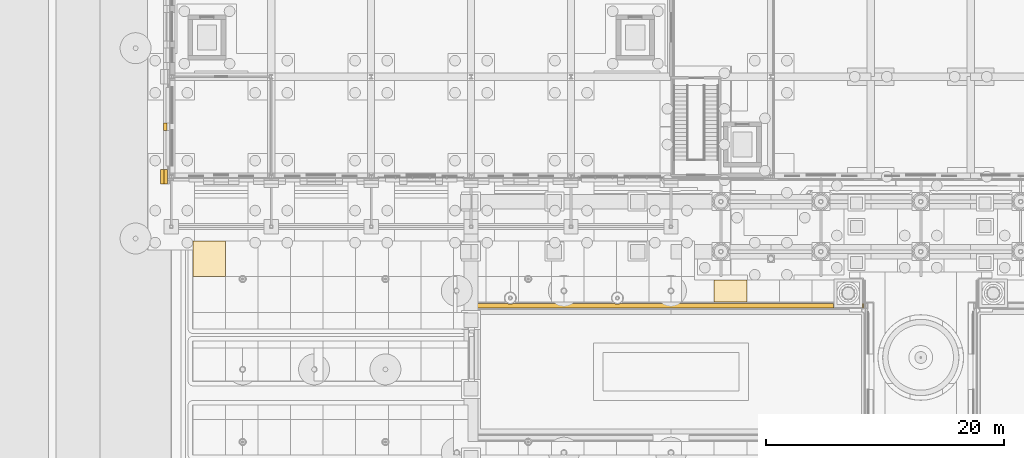
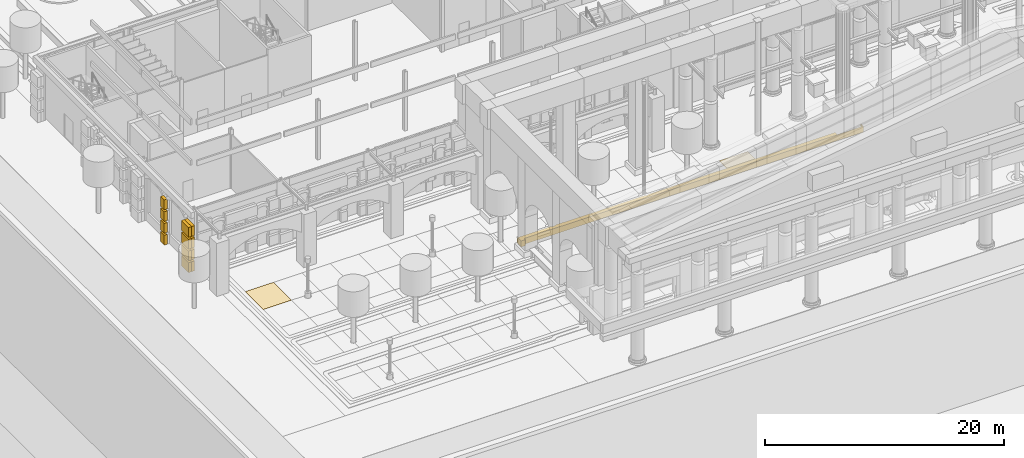
# One storey, part 114 of 222: 15 coverings.
"""IFC4 building model written with IfcOpenShell, lengths in metres."""

from ifc_helpers import new_model, si_unit, direction, frame, origin, origin_2d, place, context, subcontext, project, spatial, polyline, rectangle, outline, extrude, material, layer, layer_set, type_object, element, save


model = new_model("IFC4")

# Units and contexts
model_context = context("Model", 3, precision=1e-05, world=origin(), true_north=direction((0.0, 1.0)))
body_context = subcontext(model_context, "Body", "Model", "MODEL_VIEW")
ifc_project = project(units=[si_unit("LENGTHUNIT", "METRE"), si_unit("AREAUNIT", "SQUARE_METRE"), si_unit("VOLUMEUNIT", "CUBIC_METRE"), si_unit("PLANEANGLEUNIT", "RADIAN"), si_unit("MASSUNIT", "GRAM", prefix="KILO")], contexts=[model_context])

# Site, building, storey
site_placement = place(None, origin())
site = spatial("IfcSite", under=ifc_project, at=site_placement, CompositionType="ELEMENT")
building_placement = place(site_placement, origin())
building = spatial("IfcBuilding", under=site, at=building_placement, Name="Sava Quay Ferry Terminal", CompositionType="ELEMENT")
storey_placement = place(building_placement, origin())
storey = spatial("IfcBuildingStorey", under=building, at=storey_placement, Name="L00", CompositionType="ELEMENT", Elevation=0.0)

# Coverings
ifc_material_1 = material(Name="Limestone Mutalj", Category="masonry")
ifc_layer_1 = layer(ifc_material_1, 0.030029296875)
ifc_layer_set_1 = layer_set([ifc_layer_1], Name="Limestone Mutalj")
covering_type_1 = type_object("IfcCoveringType", Name="Court paving tile 30", PredefinedType="FLOORING", material=ifc_layer_set_1)
covering_1_placement = place(storey_placement, origin())
element("IfcCovering", 1, at=covering_1_placement, inside=storey, type_object=covering_type_1, Name="Limestone paving tile", PredefinedType="FLOORING", context=body_context, shape_type="SweptSolid", body=[
    extrude(outline(polyline([(45.639892578125, 16.5), (45.639892578125, 14.64990234375), (48.3798828125, 14.64990234375), (48.3798828125, 16.5), (45.639892578125, 16.5)])), origin(), (0.0, 0.0, 1.0), 0.030029296875),
])
ifc_material_2 = material(Name="Red sandstone Vrsac", Category="masonry")
ifc_layer_2 = layer(ifc_material_2, 0.030029296875)
ifc_layer_set_2 = layer_set([ifc_layer_2], Name="Red sandstone Vrsac")
covering_type_2 = type_object("IfcCoveringType", Name="Court paving tile sandstone 30", PredefinedType="FLOORING", material=ifc_layer_set_2)
covering_2_placement = place(storey_placement, origin())
element("IfcCovering", 2, at=covering_2_placement, inside=storey, type_object=covering_type_2, Name="Sandstone paving tile", PredefinedType="FLOORING", context=body_context, shape_type="SweptSolid", body=[
    extrude(outline(polyline([(4.5400390625, 16.800048828125), (4.5400390625, 19.800048828125), (1.81005859375, 19.800048828125), (1.81005859375, 16.800048828125), (4.5400390625, 16.800048828125)])), origin(), (0.0, 0.0, 1.0), 0.030029296875),
])
ifc_material_3 = material(Name="Limestone Mutalj", Category="masonry")
ifc_layer_3 = layer(ifc_material_3, 0.39990234375)
ifc_layer_set_3 = layer_set([ifc_layer_3], Name="Limestone Mutalj")
covering_type_3 = type_object("IfcCoveringType", Name="Retaining wall 400", PredefinedType="CLADDING", material=ifc_layer_set_3)
covering_3_placement = place(storey_placement, origin())
element("IfcCovering", 3, at=covering_3_placement, inside=storey, type_object=covering_type_3, Name="Retaining wall", PredefinedType="CLADDING", context=body_context, shape_type="SweptSolid", body=[
    extrude(outline(polyline([(28.239990234375, 14.550048828125), (25.050048828125, 14.550048828125), (25.050048828125, 13.952880859375), (25.449951171875, 13.952880859375), (25.449951171875, 14.14990234375), (58.179931640625, 14.14990234375), (58.179931640625, 14.152099609375), (58.179931640625, 14.550048828125), (58.1201171875, 14.550048828125), (58.1201171875, 14.199951171875), (58.117919921875, 14.19189453125), (58.114990234375, 14.18701171875), (58.10888671875, 14.181884765625), (58.10400390625, 14.179931640625), (55.699951171875, 14.179931640625), (55.694091796875, 14.180908203125), (55.68701171875, 14.18505859375), (55.681884765625, 14.19091796875), (55.679931640625, 14.197998046875), (55.679931640625, 14.550048828125), (37.760009765625, 14.550048828125), (37.743896484375, 14.541015625), (37.699951171875, 14.52001953125), (37.64990234375, 14.501953125), (37.60009765625, 14.489990234375), (37.552001953125, 14.48291015625), (37.4990234375, 14.47998046875), (37.447998046875, 14.48291015625), (37.39990234375, 14.489990234375), (37.35009765625, 14.501953125), (37.300048828125, 14.52001953125), (37.256103515625, 14.541015625), (37.239990234375, 14.550048828125), (28.760009765625, 14.550048828125), (28.743896484375, 14.541015625), (28.699951171875, 14.52001953125), (28.64990234375, 14.501953125), (28.60205078125, 14.489990234375), (28.552001953125, 14.48291015625), (28.4990234375, 14.47998046875), (28.447998046875, 14.48291015625), (28.39990234375, 14.489990234375), (28.35009765625, 14.501953125), (28.300048828125, 14.52001953125), (28.256103515625, 14.541015625), (28.239990234375, 14.550048828125)])), origin(), (0.0, 0.0, 1.0), 0.60009765625),
])
ifc_material_4 = material(Name="Limestone Mutalj", Category="masonry")
ifc_layer_4 = layer(ifc_material_4, 0.300048828125)
ifc_layer_set_4 = layer_set([ifc_layer_4], Name="Limestone Mutalj")
covering_type_4 = type_object("IfcCoveringType", Name="Rusticated course deepening 300", PredefinedType="CLADDING", material=ifc_layer_set_4)
for number, where, z_axis, x_axis, name in (
    (4, (-0.75, 25.199951171875, 0.0), (0.0, 0.0, 1.0), (1.0, 0.0, 0.0), "Rusticated course deepening"),
    (5, (-0.75, 25.199951171875, 1.199951171875), (0.0, 0.0, 1.0), (1.0, 0.0, 0.0), "Rusticated course deepening"),
    (6, (-0.75, 25.199951171875, 2.39990234375), (0.0, 0.0, 1.0), (1.0, 0.0, 0.0), "Rusticated course deepening"),
    (7, (-0.75, 25.199951171875, 3.60009765625), (0.0, 0.0, 1.0), (1.0, 0.0, 0.0), "Rusticated course deepening"),
):
    element("IfcCovering", number, at=place(storey_placement, frame(where, z_axis=z_axis, x_axis=x_axis)), inside=storey, type_object=covering_type_4, Name=name, PredefinedType="CLADDING", context=body_context, shape_type="SweptSolid", body=[
        extrude(rectangle(XDim=0.300048828125, YDim=1.199951171875, at=origin_2d()), origin(), (0.0, 0.0, 1.0), 1.0),
    ])
for number, where, z_axis, x_axis, name in (
    (8, (-0.5, 29.39990234375, 0.0), (0.0, 0.0, 1.0), (1.0, 0.0, 0.0), "Rusticated course deepening"),
    (9, (-0.5, 29.39990234375, 1.199951171875), (0.0, 0.0, 1.0), (1.0, 0.0, 0.0), "Rusticated course deepening"),
    (10, (-0.5, 29.39990234375, 2.39990234375), (0.0, 0.0, 1.0), (1.0, 0.0, 0.0), "Rusticated course deepening"),
    (11, (-0.5, 29.39990234375, 3.60009765625), (0.0, 0.0, 1.0), (1.0, 0.0, 0.0), "Rusticated course deepening"),
):
    element("IfcCovering", number, at=place(storey_placement, frame(where, z_axis=z_axis, x_axis=x_axis)), inside=storey, type_object=covering_type_4, Name=name, PredefinedType="CLADDING", context=body_context, shape_type="SweptSolid", body=[
        extrude(rectangle(XDim=0.300048828125, YDim=0.60009765625, at=origin_2d()), origin(), (0.0, 0.0, 1.0), 1.0),
    ])
ifc_material_5 = material(Name="Limestone Mutalj", Category="masonry")
ifc_layer_5 = layer(ifc_material_5, 0.300048828125)
ifc_layer_set_5 = layer_set([ifc_layer_5], Name="Limestone Mutalj")
covering_type_5 = type_object("IfcCoveringType", Name="Rusticated pier course 300", PredefinedType="CLADDING", material=ifc_layer_set_5)
for number, where, z_axis, x_axis, name in (
    (12, (-0.449951171875, 25.199951171875, 0.0), (0.0, 0.0, 1.0), (1.0, 0.0, 0.0), "Rusticated pier course"),
    (13, (-0.449951171875, 25.199951171875, 1.199951171875), (0.0, 0.0, 1.0), (1.0, 0.0, 0.0), "Rusticated pier course"),
    (14, (-0.449951171875, 25.199951171875, 2.39990234375), (0.0, 0.0, 1.0), (1.0, 0.0, 0.0), "Rusticated pier course"),
    (15, (-0.449951171875, 25.199951171875, 3.60009765625), (0.0, 0.0, 1.0), (1.0, 0.0, 0.0), "Rusticated pier course"),
):
    element("IfcCovering", number, at=place(storey_placement, frame(where, z_axis=z_axis, x_axis=x_axis)), inside=storey, type_object=covering_type_5, Name=name, PredefinedType="CLADDING", context=body_context, shape_type="SweptSolid", body=[
        extrude(rectangle(XDim=0.300048828125, YDim=1.199951171875, at=origin_2d()), origin(), (0.0, 0.0, 1.0), 1.0),
    ])

save(model, "model.ifc")
